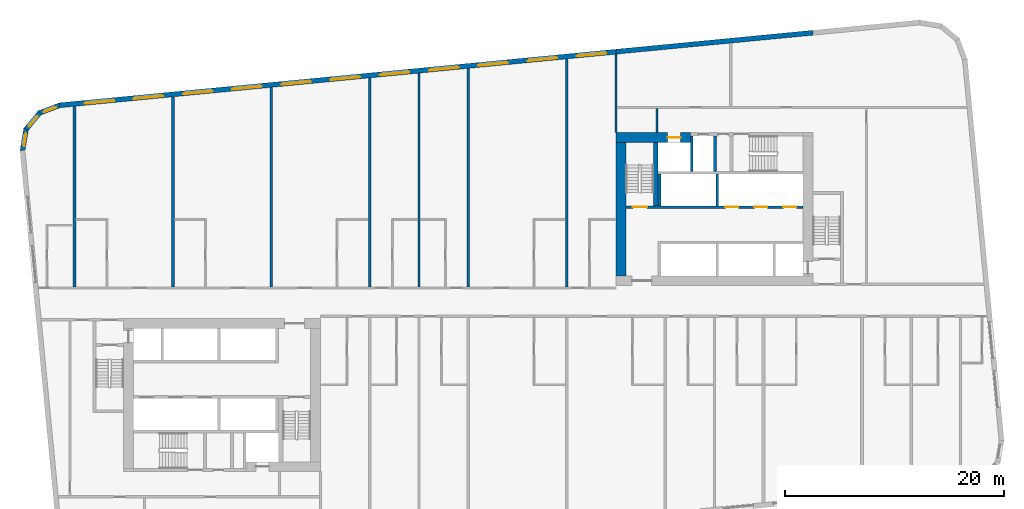
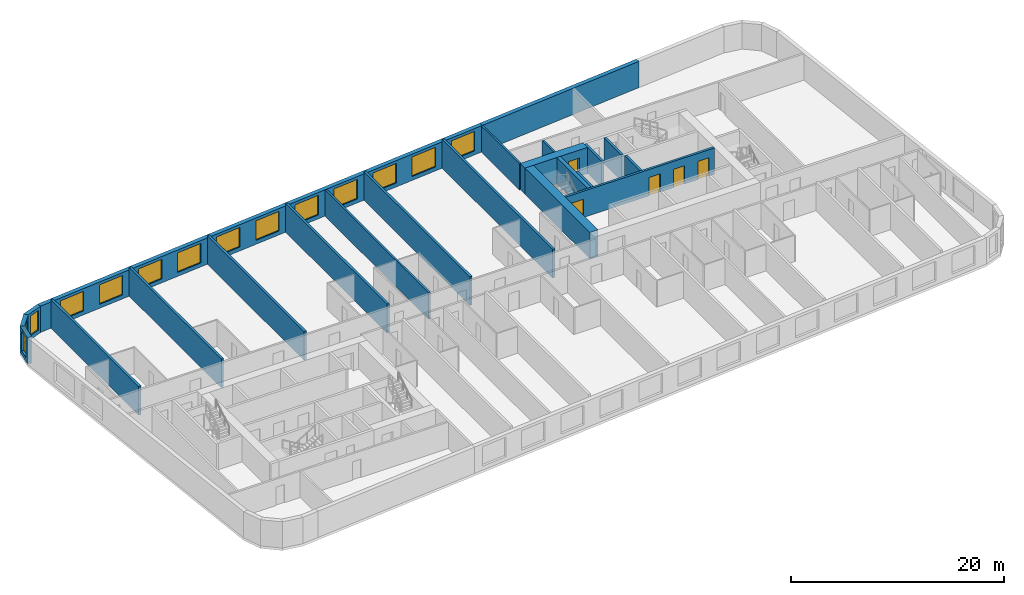
# One storey, part 6 of 12: 22 walls, 14 windows, 5 doors, 19 openings.
"""IFC4 building model written with IfcOpenShell, lengths in metres."""

from ifc_helpers import new_model, si_unit, direction, frame, frame_2d, origin, place, context, subcontext, project, spatial, polyline, rectangle, outline, extrude, material, layer, layer_set, type_object, element, fill, save


model = new_model("IFC4")

# Units and contexts
model_context = context("Model", 3, precision=1e-05, world=origin(), true_north=direction((0.0, 1.0)))
body_context = subcontext(model_context, "Body", "Model", "MODEL_VIEW")
ifc_project = project(units=[si_unit("LENGTHUNIT", "METRE"), si_unit("AREAUNIT", "SQUARE_METRE"), si_unit("VOLUMEUNIT", "CUBIC_METRE"), si_unit("PLANEANGLEUNIT", "RADIAN"), si_unit("MASSUNIT", "GRAM", prefix="KILO")], contexts=[model_context])

# Site, building, storey
site_placement = place(None, origin())
site = spatial("IfcSite", under=ifc_project, at=site_placement, CompositionType="ELEMENT")
building_placement = place(site_placement, origin())
building = spatial("IfcBuilding", under=site, at=building_placement, Name="Kajstack Hotel Tower", CompositionType="ELEMENT")
storey_placement = place(building_placement, frame((0.0, 0.0, 137.199951171875)))
storey = spatial("IfcBuildingStorey", under=building, at=storey_placement, Name="L31", CompositionType="ELEMENT", Elevation=137.199951171875)

# Wall, opening, door
ifc_material_1 = material(Name="Concrete C60/75", Category="concrete")
ifc_layer_1 = layer(ifc_material_1, 0.89990234375)
ifc_layer_set_1 = layer_set([ifc_layer_1], Name="Core wall 900")
wall_type_1 = type_object("IfcWallType", Name="Core wall 900", PredefinedType="SHEAR", material=ifc_layer_set_1)
wall_1_placement = place(storey_placement, frame((13.5, 15.050048828125, 0.0), z_axis=(0.0, 0.0, 1.0), x_axis=(1.0, 0.0, 0.0)))
wall_1 = element("IfcWall", 1, at=wall_1_placement, inside=storey, type_object=wall_type_1, Name="Core wall E RS", PredefinedType="SHEAR", context=body_context, shape_type="SweptSolid", body=[
    extrude(rectangle(XDim=6.800048828125, YDim=0.89990234375, at=frame_2d((3.39990234375, 0.0))), origin(), (0.0, 0.0, 1.0), 3.02001953125),
])
opening_1_placement = place(wall_1_placement, frame((4.72509765625, 0.0, 0.0)))
opening_1 = element("IfcOpeningElement", 2, at=opening_1_placement, cuts=wall_1, Name="Opening LD-SV2", PredefinedType="OPENING", context=body_context, shape_type="SweptSolid", body=[
    extrude(rectangle(XDim=1.199951171875, YDim=2.10009765625, at=frame_2d((0.60009765625, 1.050048828125))), frame((0.0, 0.4599609375, 0.0), z_axis=(0.0, -1.0, 0.0), x_axis=(1.0, 0.0, 0.0)), (0.0, 0.0, 1.0), 0.919921875),
])
ifc_material_2 = material(Name="Stainless steel", Category="steel")
door_type_1 = type_object("IfcDoorType", Name="Lift landing door 1200", OperationType="SLIDING_TO_LEFT", PredefinedType="DOOR", material=ifc_material_2)
door_1_placement = place(opening_1_placement, origin())
door_1 = element("IfcDoor", 3, at=door_1_placement, inside=storey, type_object=door_type_1, Name="Landing door SV2", OperationType="SLIDING_TO_LEFT", OverallHeight=2.10009765625, OverallWidth=1.199951171875, PredefinedType="DOOR", context=body_context, shape_type="SweptSolid", body=[
    extrude(rectangle(XDim=1.199951171875, YDim=2.10009765625, at=frame_2d((0.60009765625, 1.050048828125))), frame((0.0, 0.02490234375, 0.0), z_axis=(0.0, -1.0, 0.0), x_axis=(1.0, 0.0, 0.0)), (0.0, 0.0, 1.0), 0.050048828125),
])
fill(opening_1, door_1)

# Walls
wall_2_placement = place(storey_placement, frame((13.949951171875, 2.39990234375, 0.0), z_axis=(0.0, 0.0, 1.0), x_axis=(0.0, 1.0, 0.0)))
element("IfcWall", 4, at=wall_2_placement, inside=storey, type_object=wall_type_1, Name="Core wall E RE", PredefinedType="SHEAR", context=body_context, shape_type="SweptSolid", body=[
    extrude(rectangle(XDim=12.2001953125, YDim=0.89990234375, at=frame_2d((6.10009765625, 0.0))), origin(), (0.0, 0.0, 1.0), 3.02001953125),
])
ifc_material_3 = material(Name="Twin-frame gypsum board on steel studs, mineral wool", Category="steel")
ifc_layer_2 = layer(ifc_material_3, 0.199951171875)
ifc_layer_set_2 = layer_set([ifc_layer_2], Name="Demising wall 200")
wall_type_2 = type_object("IfcWallType", Name="Demising wall 200", PredefinedType="PARTITIONING", material=ifc_layer_set_2)
wall_3_placement = place(storey_placement, frame((13.5, 15.5, 0.0), z_axis=(0.0, 0.0, 1.0), x_axis=(0.0, 1.0, 0.0)))
element("IfcWall", 5, at=wall_3_placement, inside=storey, type_object=wall_type_2, Name="G-wall-L31-001", PredefinedType="PARTITIONING", context=body_context, shape_type="SweptSolid", body=[
    extrude(rectangle(XDim=7.162109375, YDim=0.199951171875, at=frame_2d((3.5810546875, 0.0))), origin(), (0.0, 0.0, 1.0), 3.02001953125),
])
wall_4_placement = place(storey_placement, frame((-4.5, 1.39990234375, 0.0), z_axis=(0.0, 0.0, 1.0), x_axis=(0.0, 1.0, 0.0)))
element("IfcWall", 6, at=wall_4_placement, inside=storey, type_object=wall_type_2, Name="G-wall-L31-012", PredefinedType="PARTITIONING", context=body_context, shape_type="SweptSolid", body=[
    extrude(rectangle(XDim=19.529052734375, YDim=0.199951171875, at=frame_2d((9.7646484375, 0.0))), origin(), (0.0, 0.0, 1.0), 3.02001953125),
])
ifc_material_4 = material(Name="Concrete C40/50", Category="concrete")
ifc_layer_3 = layer(ifc_material_4, 0.449951171875)
ifc_layer_set_3 = layer_set([ifc_layer_3], Name="EW-CORE")
wall_type_3 = type_object("IfcWallType", Name="EW-CORE", PredefinedType="SOLIDWALL", material=ifc_layer_set_3)
wall_5_placement = place(storey_placement, frame((31.521484375, 24.623291015625, 0.0), z_axis=(0.0, 0.0, 1.0), x_axis=(-0.995396454615, -0.095843091245, 0.0)))
element("IfcWall", 7, at=wall_5_placement, inside=storey, type_object=wall_type_3, Name="E-wall-L31-12-01", PredefinedType="SOLIDWALL", context=body_context, shape_type="SweptSolid", body=[
    extrude(rectangle(XDim=18.083251953125, YDim=0.449951171875, at=frame_2d((9.04150390625, 0.0))), origin(), (0.0, 0.0, 1.0), 3.02001953125),
])

# Wall, openings, windows
ifc_material_5 = material(Name="Terracotta-faced brick masonry", Category="masonry")
ifc_layer_4 = layer(ifc_material_5, 0.449951171875)
ifc_layer_set_4 = layer_set([ifc_layer_4], Name="EW-TERRA")
wall_type_4 = type_object("IfcWallType", Name="EW-TERRA", PredefinedType="SOLIDWALL", material=ifc_layer_set_4)
wall_6_placement = place(storey_placement, frame((13.521484375, 22.89013671875, 0.0), z_axis=(0.0, 0.0, 1.0), x_axis=(-0.995396445054, -0.095843190545, 0.0)))
wall_6 = element("IfcWall", 8, at=wall_6_placement, inside=storey, type_object=wall_type_4, Name="E-wall-L31-12-02", PredefinedType="SOLIDWALL", context=body_context, shape_type="SweptSolid", body=[
    extrude(rectangle(XDim=51.114013671875, YDim=0.449951171875, at=frame_2d((25.55712890625, 0.0))), origin(), (0.0, 0.0, 1.0), 3.02001953125),
])
opening_2_placement = place(wall_6_placement, frame((0.910400390625, 0.0, 0.449951171875)))
opening_2 = element("IfcOpeningElement", 9, at=opening_2_placement, cuts=wall_6, Name="Opening W1", PredefinedType="OPENING", context=body_context, shape_type="SweptSolid", body=[
    extrude(rectangle(XDim=2.699951171875, YDim=2.25, at=frame_2d((1.35009765625, 1.125))), frame((0.0, 0.23486328125, 0.0), z_axis=(0.0, -1.0, 0.0), x_axis=(1.0, 0.0, 0.0)), (0.0, 0.0, 1.0), 0.469970703125),
])
opening_3_placement = place(wall_6_placement, frame((5.43115234375, 0.0, 0.449951171875)))
opening_3 = element("IfcOpeningElement", 10, at=opening_3_placement, cuts=wall_6, Name="Opening W1", PredefinedType="OPENING", context=body_context, shape_type="SweptSolid", body=[
    extrude(rectangle(XDim=2.699951171875, YDim=2.25, at=frame_2d((1.35009765625, 1.125))), frame((0.0, 0.23486328125, 0.0), z_axis=(0.0, -1.0, 0.0), x_axis=(1.0, 0.0, 0.0)), (0.0, 0.0, 1.0), 0.469970703125),
])
opening_4_placement = place(wall_6_placement, frame((9.951904296875, 0.0, 0.449951171875)))
opening_4 = element("IfcOpeningElement", 11, at=opening_4_placement, cuts=wall_6, Name="Opening W1", PredefinedType="OPENING", context=body_context, shape_type="SweptSolid", body=[
    extrude(rectangle(XDim=2.699951171875, YDim=2.25, at=frame_2d((1.35009765625, 1.125))), frame((0.0, 0.23486328125, 0.0), z_axis=(0.0, -1.0, 0.0), x_axis=(1.0, 0.0, 0.0)), (0.0, 0.0, 1.0), 0.469970703125),
])
opening_5_placement = place(wall_6_placement, frame((14.472900390625, 0.0, 0.449951171875)))
opening_5 = element("IfcOpeningElement", 12, at=opening_5_placement, cuts=wall_6, Name="Opening W1", PredefinedType="OPENING", context=body_context, shape_type="SweptSolid", body=[
    extrude(rectangle(XDim=2.699951171875, YDim=2.25, at=frame_2d((1.35009765625, 1.125))), frame((0.0, 0.23486328125, 0.0), z_axis=(0.0, -1.0, 0.0), x_axis=(1.0, 0.0, 0.0)), (0.0, 0.0, 1.0), 0.469970703125),
])
opening_6_placement = place(wall_6_placement, frame((18.99365234375, 0.0, 0.449951171875)))
opening_6 = element("IfcOpeningElement", 13, at=opening_6_placement, cuts=wall_6, Name="Opening W1", PredefinedType="OPENING", context=body_context, shape_type="SweptSolid", body=[
    extrude(rectangle(XDim=2.699951171875, YDim=2.25, at=frame_2d((1.35009765625, 1.125))), frame((0.0, 0.23486328125, 0.0), z_axis=(0.0, -1.0, 0.0), x_axis=(1.0, 0.0, 0.0)), (0.0, 0.0, 1.0), 0.469970703125),
])
opening_7_placement = place(wall_6_placement, frame((23.514404296875, 0.0, 0.449951171875)))
opening_7 = element("IfcOpeningElement", 14, at=opening_7_placement, cuts=wall_6, Name="Opening W1", PredefinedType="OPENING", context=body_context, shape_type="SweptSolid", body=[
    extrude(rectangle(XDim=2.699951171875, YDim=2.25, at=frame_2d((1.35009765625, 1.125))), frame((0.0, 0.23486328125, 0.0), z_axis=(0.0, -1.0, 0.0), x_axis=(1.0, 0.0, 0.0)), (0.0, 0.0, 1.0), 0.469970703125),
])
opening_8_placement = place(wall_6_placement, frame((28.035400390625, 0.0, 0.449951171875)))
opening_8 = element("IfcOpeningElement", 15, at=opening_8_placement, cuts=wall_6, Name="Opening W1", PredefinedType="OPENING", context=body_context, shape_type="SweptSolid", body=[
    extrude(rectangle(XDim=2.699951171875, YDim=2.25, at=frame_2d((1.35009765625, 1.125))), frame((0.0, 0.23486328125, 0.0), z_axis=(0.0, -1.0, 0.0), x_axis=(1.0, 0.0, 0.0)), (0.0, 0.0, 1.0), 0.469970703125),
])
opening_9_placement = place(wall_6_placement, frame((32.55615234375, 0.0, 0.449951171875)))
opening_9 = element("IfcOpeningElement", 16, at=opening_9_placement, cuts=wall_6, Name="Opening W1", PredefinedType="OPENING", context=body_context, shape_type="SweptSolid", body=[
    extrude(rectangle(XDim=2.699951171875, YDim=2.25, at=frame_2d((1.35009765625, 1.125))), frame((0.0, 0.23486328125, 0.0), z_axis=(0.0, -1.0, 0.0), x_axis=(1.0, 0.0, 0.0)), (0.0, 0.0, 1.0), 0.469970703125),
])
opening_10_placement = place(wall_6_placement, frame((37.076904296875, 0.0, 0.449951171875)))
opening_10 = element("IfcOpeningElement", 17, at=opening_10_placement, cuts=wall_6, Name="Opening W1", PredefinedType="OPENING", context=body_context, shape_type="SweptSolid", body=[
    extrude(rectangle(XDim=2.699951171875, YDim=2.25, at=frame_2d((1.35009765625, 1.125))), frame((0.0, 0.23486328125, 0.0), z_axis=(0.0, -1.0, 0.0), x_axis=(1.0, 0.0, 0.0)), (0.0, 0.0, 1.0), 0.469970703125),
])
opening_11_placement = place(wall_6_placement, frame((41.59765625, 0.0, 0.449951171875)))
opening_11 = element("IfcOpeningElement", 18, at=opening_11_placement, cuts=wall_6, Name="Opening W1", PredefinedType="OPENING", context=body_context, shape_type="SweptSolid", body=[
    extrude(rectangle(XDim=2.699951171875, YDim=2.25, at=frame_2d((1.35009765625, 1.125))), frame((0.0, 0.23486328125, 0.0), z_axis=(0.0, -1.0, 0.0), x_axis=(1.0, 0.0, 0.0)), (0.0, 0.0, 1.0), 0.469970703125),
])
opening_12_placement = place(wall_6_placement, frame((46.118408203125, 0.0, 0.449951171875)))
opening_12 = element("IfcOpeningElement", 19, at=opening_12_placement, cuts=wall_6, Name="Opening W1", PredefinedType="OPENING", context=body_context, shape_type="SweptSolid", body=[
    extrude(rectangle(XDim=2.699951171875, YDim=2.25, at=frame_2d((1.35009765625, 1.125))), frame((0.0, 0.23486328125, 0.0), z_axis=(0.0, -1.0, 0.0), x_axis=(1.0, 0.0, 0.0)), (0.0, 0.0, 1.0), 0.469970703125),
])
ifc_material_6 = material(Name="Timber-aluminium window, triple glazed", Category="wood")
window_type_1 = type_object("IfcWindowType", Name="WG1", PartitioningType="SINGLE_PANEL", PredefinedType="WINDOW", material=ifc_material_6)
window_1_placement = place(opening_2_placement, origin())
window_1 = element("IfcWindow", 20, at=window_1_placement, inside=storey, type_object=window_type_1, Name="Window W1 L31-12", OverallHeight=2.25, OverallWidth=2.699951171875, PartitioningType="SINGLE_PANEL", PredefinedType="WINDOW", context=body_context, shape_type="SweptSolid", body=[
    extrude(rectangle(XDim=2.699951171875, YDim=2.25, at=frame_2d((1.35009765625, 1.125))), frame((0.0, 0.090087890625, 0.0), z_axis=(0.0, -1.0, 0.0), x_axis=(1.0, 0.0, 0.0)), (0.0, 0.0, 1.0), 0.06005859375),
])
fill(opening_2, window_1)
window_2_placement = place(opening_3_placement, origin())
window_2 = element("IfcWindow", 21, at=window_2_placement, inside=storey, type_object=window_type_1, Name="Window W1 L31-12", OverallHeight=2.25, OverallWidth=2.699951171875, PartitioningType="SINGLE_PANEL", PredefinedType="WINDOW", context=body_context, shape_type="SweptSolid", body=[
    extrude(rectangle(XDim=2.699951171875, YDim=2.25, at=frame_2d((1.35009765625, 1.125))), frame((0.0, 0.090087890625, 0.0), z_axis=(0.0, -1.0, 0.0), x_axis=(1.0, 0.0, 0.0)), (0.0, 0.0, 1.0), 0.06005859375),
])
fill(opening_3, window_2)
window_3_placement = place(opening_4_placement, origin())
window_3 = element("IfcWindow", 22, at=window_3_placement, inside=storey, type_object=window_type_1, Name="Window W1 L31-12", OverallHeight=2.25, OverallWidth=2.699951171875, PartitioningType="SINGLE_PANEL", PredefinedType="WINDOW", context=body_context, shape_type="SweptSolid", body=[
    extrude(rectangle(XDim=2.699951171875, YDim=2.25, at=frame_2d((1.35009765625, 1.125))), frame((0.0, 0.090087890625, 0.0), z_axis=(0.0, -1.0, 0.0), x_axis=(1.0, 0.0, 0.0)), (0.0, 0.0, 1.0), 0.06005859375),
])
fill(opening_4, window_3)
window_4_placement = place(opening_5_placement, origin())
window_4 = element("IfcWindow", 23, at=window_4_placement, inside=storey, type_object=window_type_1, Name="Window W1 L31-12", OverallHeight=2.25, OverallWidth=2.699951171875, PartitioningType="SINGLE_PANEL", PredefinedType="WINDOW", context=body_context, shape_type="SweptSolid", body=[
    extrude(rectangle(XDim=2.699951171875, YDim=2.25, at=frame_2d((1.35009765625, 1.125))), frame((0.0, 0.090087890625, 0.0), z_axis=(0.0, -1.0, 0.0), x_axis=(1.0, 0.0, 0.0)), (0.0, 0.0, 1.0), 0.06005859375),
])
fill(opening_5, window_4)
window_5_placement = place(opening_6_placement, origin())
window_5 = element("IfcWindow", 24, at=window_5_placement, inside=storey, type_object=window_type_1, Name="Window W1 L31-12", OverallHeight=2.25, OverallWidth=2.699951171875, PartitioningType="SINGLE_PANEL", PredefinedType="WINDOW", context=body_context, shape_type="SweptSolid", body=[
    extrude(rectangle(XDim=2.699951171875, YDim=2.25, at=frame_2d((1.35009765625, 1.125))), frame((0.0, 0.090087890625, 0.0), z_axis=(0.0, -1.0, 0.0), x_axis=(1.0, 0.0, 0.0)), (0.0, 0.0, 1.0), 0.06005859375),
])
fill(opening_6, window_5)
window_6_placement = place(opening_7_placement, origin())
window_6 = element("IfcWindow", 25, at=window_6_placement, inside=storey, type_object=window_type_1, Name="Window W1 L31-12", OverallHeight=2.25, OverallWidth=2.699951171875, PartitioningType="SINGLE_PANEL", PredefinedType="WINDOW", context=body_context, shape_type="SweptSolid", body=[
    extrude(rectangle(XDim=2.699951171875, YDim=2.25, at=frame_2d((1.35009765625, 1.125))), frame((0.0, 0.090087890625, 0.0), z_axis=(0.0, -1.0, 0.0), x_axis=(1.0, 0.0, 0.0)), (0.0, 0.0, 1.0), 0.06005859375),
])
fill(opening_7, window_6)
window_7_placement = place(opening_8_placement, origin())
window_7 = element("IfcWindow", 26, at=window_7_placement, inside=storey, type_object=window_type_1, Name="Window W1 L31-12", OverallHeight=2.25, OverallWidth=2.699951171875, PartitioningType="SINGLE_PANEL", PredefinedType="WINDOW", context=body_context, shape_type="SweptSolid", body=[
    extrude(rectangle(XDim=2.699951171875, YDim=2.25, at=frame_2d((1.35009765625, 1.125))), frame((0.0, 0.090087890625, 0.0), z_axis=(0.0, -1.0, 0.0), x_axis=(1.0, 0.0, 0.0)), (0.0, 0.0, 1.0), 0.06005859375),
])
fill(opening_8, window_7)
window_8_placement = place(opening_9_placement, origin())
window_8 = element("IfcWindow", 27, at=window_8_placement, inside=storey, type_object=window_type_1, Name="Window W1 L31-12", OverallHeight=2.25, OverallWidth=2.699951171875, PartitioningType="SINGLE_PANEL", PredefinedType="WINDOW", context=body_context, shape_type="SweptSolid", body=[
    extrude(rectangle(XDim=2.699951171875, YDim=2.25, at=frame_2d((1.35009765625, 1.125))), frame((0.0, 0.090087890625, 0.0), z_axis=(0.0, -1.0, 0.0), x_axis=(1.0, 0.0, 0.0)), (0.0, 0.0, 1.0), 0.06005859375),
])
fill(opening_9, window_8)
window_9_placement = place(opening_10_placement, origin())
window_9 = element("IfcWindow", 28, at=window_9_placement, inside=storey, type_object=window_type_1, Name="Window W1 L31-12", OverallHeight=2.25, OverallWidth=2.699951171875, PartitioningType="SINGLE_PANEL", PredefinedType="WINDOW", context=body_context, shape_type="SweptSolid", body=[
    extrude(rectangle(XDim=2.699951171875, YDim=2.25, at=frame_2d((1.35009765625, 1.125))), frame((0.0, 0.090087890625, 0.0), z_axis=(0.0, -1.0, 0.0), x_axis=(1.0, 0.0, 0.0)), (0.0, 0.0, 1.0), 0.06005859375),
])
fill(opening_10, window_9)
window_10_placement = place(opening_11_placement, origin())
window_10 = element("IfcWindow", 29, at=window_10_placement, inside=storey, type_object=window_type_1, Name="Window W1 L31-12", OverallHeight=2.25, OverallWidth=2.699951171875, PartitioningType="SINGLE_PANEL", PredefinedType="WINDOW", context=body_context, shape_type="SweptSolid", body=[
    extrude(rectangle(XDim=2.699951171875, YDim=2.25, at=frame_2d((1.35009765625, 1.125))), frame((0.0, 0.090087890625, 0.0), z_axis=(0.0, -1.0, 0.0), x_axis=(1.0, 0.0, 0.0)), (0.0, 0.0, 1.0), 0.06005859375),
])
fill(opening_11, window_10)
window_11_placement = place(opening_12_placement, origin())
window_11 = element("IfcWindow", 30, at=window_11_placement, inside=storey, type_object=window_type_1, Name="Window W1 L31-12", OverallHeight=2.25, OverallWidth=2.699951171875, PartitioningType="SINGLE_PANEL", PredefinedType="WINDOW", context=body_context, shape_type="SweptSolid", body=[
    extrude(rectangle(XDim=2.699951171875, YDim=2.25, at=frame_2d((1.35009765625, 1.125))), frame((0.0, 0.090087890625, 0.0), z_axis=(0.0, -1.0, 0.0), x_axis=(1.0, 0.0, 0.0)), (0.0, 0.0, 1.0), 0.06005859375),
])
fill(opening_12, window_11)

# Wall, opening, window
wall_7_placement = place(storey_placement, frame((-37.300048828125, 18.00439453125, 0.0), z_axis=(0.0, 0.0, 1.0), x_axis=(-0.936677599948, -0.350192909346, 0.0)))
wall_7 = element("IfcWall", 31, at=wall_7_placement, inside=storey, type_object=wall_type_4, Name="E-wall-L31-13-00", PredefinedType="SOLIDWALL", context=body_context, shape_type="SweptSolid", body=[
    extrude(outline(polyline([(0.0, -0.224853515625), (2.070556640625, -0.224853515625), (1.949951171875, 0.22509765625), (0.12060546875, 0.22509765625), (0.0, -0.224853515625)])), origin(), (0.0, 0.0, 1.0), 3.02001953125),
])
opening_13_placement = place(wall_7_placement, frame((0.435302734375, 0.0, 0.449951171875)))
opening_13 = element("IfcOpeningElement", 32, at=opening_13_placement, cuts=wall_7, Name="Opening W3", PredefinedType="OPENING", context=body_context, shape_type="SweptSolid", body=[
    extrude(rectangle(XDim=1.199951171875, YDim=2.25, at=frame_2d((0.60009765625, 1.125))), frame((0.0, 0.23486328125, 0.0), z_axis=(0.0, -1.0, 0.0), x_axis=(1.0, 0.0, 0.0)), (0.0, 0.0, 1.0), 0.469970703125),
])
window_type_2 = type_object("IfcWindowType", Name="WG3", PartitioningType="SINGLE_PANEL", PredefinedType="WINDOW", material=ifc_material_6)
window_12_placement = place(opening_13_placement, origin())
window_12 = element("IfcWindow", 33, at=window_12_placement, inside=storey, type_object=window_type_2, Name="Window W3 L31-13", OverallHeight=2.25, OverallWidth=1.199951171875, PartitioningType="SINGLE_PANEL", PredefinedType="WINDOW", context=body_context, shape_type="SweptSolid", body=[
    extrude(rectangle(XDim=1.199951171875, YDim=2.25, at=frame_2d((0.60009765625, 1.125))), frame((0.0, 0.090087890625, 0.0), z_axis=(0.0, -1.0, 0.0), x_axis=(1.0, 0.0, 0.0)), (0.0, 0.0, 1.0), 0.06005859375),
])
fill(opening_13, window_12)

wall_8_placement = place(storey_placement, frame((-39.144775390625, 17.346923828125, 0.0), z_axis=(0.0, 0.0, 1.0), x_axis=(-0.636046112757, -0.771651049663, 0.0)))
wall_8 = element("IfcWall", 34, at=wall_8_placement, inside=storey, type_object=wall_type_4, Name="E-wall-L31-14-00", PredefinedType="SOLIDWALL", context=body_context, shape_type="SweptSolid", body=[
    extrude(outline(polyline([(0.0, -0.224853515625), (2.070556640625, -0.224853515625), (1.949951171875, 0.22509765625), (0.12060546875, 0.22509765625), (0.0, -0.224853515625)])), origin(), (0.0, 0.0, 1.0), 3.02001953125),
])
opening_14_placement = place(wall_8_placement, frame((0.435302734375, 0.0, 0.449951171875)))
opening_14 = element("IfcOpeningElement", 35, at=opening_14_placement, cuts=wall_8, Name="Opening W3", PredefinedType="OPENING", context=body_context, shape_type="SweptSolid", body=[
    extrude(rectangle(XDim=1.199951171875, YDim=2.25, at=frame_2d((0.60009765625, 1.125))), frame((0.0, 0.23486328125, 0.0), z_axis=(0.0, -1.0, 0.0), x_axis=(1.0, 0.0, 0.0)), (0.0, 0.0, 1.0), 0.469970703125),
])
window_13_placement = place(opening_14_placement, origin())
window_13 = element("IfcWindow", 36, at=window_13_placement, inside=storey, type_object=window_type_2, Name="Window W3 L31-14", OverallHeight=2.25, OverallWidth=1.199951171875, PartitioningType="SINGLE_PANEL", PredefinedType="WINDOW", context=body_context, shape_type="SweptSolid", body=[
    extrude(rectangle(XDim=1.199951171875, YDim=2.25, at=frame_2d((0.60009765625, 1.125))), frame((0.0, 0.090087890625, 0.0), z_axis=(0.0, -1.0, 0.0), x_axis=(1.0, 0.0, 0.0)), (0.0, 0.0, 1.0), 0.06005859375),
])
fill(opening_14, window_13)

wall_9_placement = place(storey_placement, frame((-40.413330078125, 15.855224609375, 0.0), z_axis=(0.0, 0.0, 1.0), x_axis=(-0.165068144653, -0.986282164302, 0.0)))
wall_9 = element("IfcWall", 37, at=wall_9_placement, inside=storey, type_object=wall_type_4, Name="E-wall-L31-15-00", PredefinedType="SOLIDWALL", context=body_context, shape_type="SweptSolid", body=[
    extrude(outline(polyline([(0.0, -0.22509765625), (2.070556640625, -0.224853515625), (1.9501953125, 0.22509765625), (0.12060546875, 0.224853515625), (0.0, -0.22509765625)])), origin(), (0.0, 0.0, 1.0), 3.02001953125),
])
opening_15_placement = place(wall_9_placement, frame((0.435302734375, 0.0, 0.449951171875)))
opening_15 = element("IfcOpeningElement", 38, at=opening_15_placement, cuts=wall_9, Name="Opening W3", PredefinedType="OPENING", context=body_context, shape_type="SweptSolid", body=[
    extrude(rectangle(XDim=1.199951171875, YDim=2.25, at=frame_2d((0.60009765625, 1.125))), frame((0.0, 0.23486328125, 0.0), z_axis=(0.0, -1.0, 0.0), x_axis=(1.0, 0.0, 0.0)), (0.0, 0.0, 1.0), 0.469970703125),
])
window_14_placement = place(opening_15_placement, origin())
window_14 = element("IfcWindow", 39, at=window_14_placement, inside=storey, type_object=window_type_2, Name="Window W3 L31-15", OverallHeight=2.25, OverallWidth=1.199951171875, PartitioningType="SINGLE_PANEL", PredefinedType="WINDOW", context=body_context, shape_type="SweptSolid", body=[
    extrude(rectangle(XDim=1.199951171875, YDim=2.25, at=frame_2d((0.60009765625, 1.125))), frame((0.0, 0.090087890625, 0.0), z_axis=(0.0, -1.0, 0.0), x_axis=(1.0, 0.0, 0.0)), (0.0, 0.0, 1.0), 0.06005859375),
])
fill(opening_15, window_14)

# Walls
ifc_material_7 = material(Name="Concrete C50/60", Category="concrete")
ifc_layer_5 = layer(ifc_material_7, 0.300048828125)
ifc_layer_set_5 = layer_set([ifc_layer_5], Name="Hoistway divider wall 300")
wall_type_5 = type_object("IfcWallType", Name="Hoistway divider wall 300", PredefinedType="SHEAR", material=ifc_layer_set_5)
wall_10_placement = place(storey_placement, frame((22.77490234375, 8.800048828125, 0.0), z_axis=(0.0, 0.0, 1.0), x_axis=(0.0, 1.0, 0.0)))
element("IfcWall", 40, at=wall_10_placement, inside=storey, type_object=wall_type_5, Name="Core wall E BP2", PredefinedType="SHEAR", context=body_context, shape_type="SweptSolid", body=[
    extrude(rectangle(XDim=2.89990234375, YDim=0.25, at=frame_2d((1.449951171875, 0.0))), origin(), (0.0, 0.0, 1.0), 3.02001953125),
])
ifc_material_8 = material(Name="Concrete C55/67", Category="concrete")
ifc_layer_6 = layer(ifc_material_8, 0.25)
ifc_layer_set_6 = layer_set([ifc_layer_6], Name="RC cross wall 250 C55/67")
wall_type_6 = type_object("IfcWallType", Name="RC cross wall 250 C55/67", PredefinedType="SHEAR", material=ifc_layer_set_6)
wall_11_placement = place(storey_placement, frame((-36.0, 1.39990234375, 0.0), z_axis=(0.0, 0.0, 1.0), x_axis=(0.0, 1.0, 0.0)))
element("IfcWall", 41, at=wall_11_placement, inside=storey, type_object=wall_type_6, Name="S-wall-L31-01", PredefinedType="SHEAR", context=body_context, shape_type="SweptSolid", body=[
    extrude(rectangle(XDim=16.473876953125, YDim=0.25, at=frame_2d((8.23681640625, 0.0))), origin(), (0.0, 0.0, 1.0), 3.300048828125),
])
wall_12_placement = place(storey_placement, frame((-27.0, 1.39990234375, 0.0), z_axis=(0.0, 0.0, 1.0), x_axis=(0.0, 1.0, 0.0)))
element("IfcWall", 42, at=wall_12_placement, inside=storey, type_object=wall_type_6, Name="S-wall-L31-02", PredefinedType="SHEAR", context=body_context, shape_type="SweptSolid", body=[
    extrude(rectangle(XDim=17.34033203125, YDim=0.25, at=frame_2d((8.670166015625, 0.0))), origin(), (0.0, 0.0, 1.0), 3.300048828125),
])
wall_13_placement = place(storey_placement, frame((-18.0, 1.39990234375, 0.0), z_axis=(0.0, 0.0, 1.0), x_axis=(0.0, 1.0, 0.0)))
element("IfcWall", 43, at=wall_13_placement, inside=storey, type_object=wall_type_6, Name="S-wall-L31-03", PredefinedType="SHEAR", context=body_context, shape_type="SweptSolid", body=[
    extrude(rectangle(XDim=18.20703125, YDim=0.25, at=frame_2d((9.103515625, 0.0))), origin(), (0.0, 0.0, 1.0), 3.300048828125),
])
wall_14_placement = place(storey_placement, frame((-9.0, 1.39990234375, 0.0), z_axis=(0.0, 0.0, 1.0), x_axis=(0.0, 1.0, 0.0)))
element("IfcWall", 44, at=wall_14_placement, inside=storey, type_object=wall_type_6, Name="S-wall-L31-05", PredefinedType="SHEAR", context=body_context, shape_type="SweptSolid", body=[
    extrude(rectangle(XDim=19.073486328125, YDim=0.25, at=frame_2d((9.53662109375, 0.0))), origin(), (0.0, 0.0, 1.0), 3.300048828125),
])
wall_15_placement = place(storey_placement, frame((0.0, 1.39990234375, 0.0), z_axis=(0.0, 0.0, 1.0), x_axis=(0.0, 1.0, 0.0)))
element("IfcWall", 45, at=wall_15_placement, inside=storey, type_object=wall_type_6, Name="S-wall-L31-07", PredefinedType="SHEAR", context=body_context, shape_type="SweptSolid", body=[
    extrude(rectangle(XDim=19.940185546875, YDim=0.25, at=frame_2d((9.97021484375, 0.0))), origin(), (0.0, 0.0, 1.0), 3.300048828125),
])
wall_16_placement = place(storey_placement, frame((9.0, 1.39990234375, 0.0), z_axis=(0.0, 0.0, 1.0), x_axis=(0.0, 1.0, 0.0)))
element("IfcWall", 46, at=wall_16_placement, inside=storey, type_object=wall_type_6, Name="S-wall-L31-09", PredefinedType="SHEAR", context=body_context, shape_type="SweptSolid", body=[
    extrude(rectangle(XDim=20.806884765625, YDim=0.25, at=frame_2d((10.4033203125, 0.0))), origin(), (0.0, 0.0, 1.0), 3.300048828125),
])
ifc_material_9 = material(Name="Concrete block masonry", Category="masonry")
ifc_layer_7 = layer(ifc_material_9, 0.25)
ifc_layer_set_7 = layer_set([ifc_layer_7], Name="Riser partition 250")
wall_type_7 = type_object("IfcWallType", Name="Riser partition 250", PredefinedType="PARTITIONING", material=ifc_layer_set_7)
wall_17_placement = place(storey_placement, frame((22.550048828125, 11.949951171875, 0.0), z_axis=(0.0, 0.0, 1.0), x_axis=(0.0, 1.0, 0.0)))
element("IfcWall", 47, at=wall_17_placement, inside=storey, type_object=wall_type_7, Name="Partition E SZ0", PredefinedType="PARTITIONING", context=body_context, shape_type="SweptSolid", body=[
    extrude(rectangle(XDim=3.25, YDim=0.25, at=frame_2d((1.625, 0.0))), origin(), (0.0, 0.0, 1.0), 3.02001953125),
])
ifc_material_10 = material(Name="Gypsum board on steel studs, mineral wool", Category="steel")
ifc_layer_8 = layer(ifc_material_10, 0.199951171875)
ifc_layer_set_8 = layer_set([ifc_layer_8], Name="Service partition 200")
wall_type_8 = type_object("IfcWallType", Name="Service partition 200", PredefinedType="PARTITIONING", material=ifc_layer_set_8)
wall_18_placement = place(storey_placement, frame((17.25, 15.5, 0.0), z_axis=(0.0, 0.0, 1.0), x_axis=(0.0, 1.0, 0.0)))
element("IfcWall", 48, at=wall_18_placement, inside=storey, type_object=wall_type_8, Name="Partition E SCE", PredefinedType="PARTITIONING", context=body_context, shape_type="SweptSolid", body=[
    extrude(rectangle(XDim=2.199951171875, YDim=0.199951171875, at=frame_2d((1.10009765625, 0.0))), origin(), (0.0, 0.0, 1.0), 3.02001953125),
])

# Wall, openings, doors
ifc_layer_9 = layer(ifc_material_7, 0.25)
ifc_layer_set_9 = layer_set([ifc_layer_9], Name="Shaft wall 250")
wall_type_9 = type_object("IfcWallType", Name="Shaft wall 250", PredefinedType="SHEAR", material=ifc_layer_set_9)
wall_19_placement = place(storey_placement, frame((14.39990234375, 8.675048828125, 0.0), z_axis=(0.0, 0.0, 1.0), x_axis=(1.0, 0.0, 0.0)))
wall_19 = element("IfcWall", 49, at=wall_19_placement, inside=storey, type_object=wall_type_9, Name="Core wall E FB", PredefinedType="SHEAR", context=body_context, shape_type="SweptSolid", body=[
    extrude(rectangle(XDim=16.2001953125, YDim=0.25, at=frame_2d((8.10009765625, 0.0))), origin(), (0.0, 0.0, 1.0), 3.02001953125),
])
opening_16_placement = place(wall_19_placement, frame((14.39990234375, 0.0, 0.0)))
opening_16 = element("IfcOpeningElement", 50, at=opening_16_placement, cuts=wall_19, Name="Opening LD-LR4", PredefinedType="OPENING", context=body_context, shape_type="SweptSolid", body=[
    extrude(rectangle(XDim=1.199951171875, YDim=2.10009765625, at=frame_2d((0.60009765625, 1.050048828125))), frame((0.0, 0.135009765625, 0.0), z_axis=(0.0, -1.0, 0.0), x_axis=(1.0, 0.0, 0.0)), (0.0, 0.0, 1.0), 0.27001953125),
])
opening_17_placement = place(wall_19_placement, frame((11.75, 0.0, 0.0)))
opening_17 = element("IfcOpeningElement", 51, at=opening_17_placement, cuts=wall_19, Name="Opening LD-LR5", PredefinedType="OPENING", context=body_context, shape_type="SweptSolid", body=[
    extrude(rectangle(XDim=1.199951171875, YDim=2.10009765625, at=frame_2d((0.60009765625, 1.050048828125))), frame((0.0, 0.135009765625, 0.0), z_axis=(0.0, -1.0, 0.0), x_axis=(1.0, 0.0, 0.0)), (0.0, 0.0, 1.0), 0.27001953125),
])
opening_18_placement = place(wall_19_placement, frame((9.10009765625, 0.0, 0.0)))
opening_18 = element("IfcOpeningElement", 52, at=opening_18_placement, cuts=wall_19, Name="Opening LD-LR6", PredefinedType="OPENING", context=body_context, shape_type="SweptSolid", body=[
    extrude(rectangle(XDim=1.199951171875, YDim=2.10009765625, at=frame_2d((0.60009765625, 1.050048828125))), frame((0.0, 0.135009765625, 0.0), z_axis=(0.0, -1.0, 0.0), x_axis=(1.0, 0.0, 0.0)), (0.0, 0.0, 1.0), 0.27001953125),
])
opening_19_placement = place(wall_19_placement, frame((0.64990234375, 0.0, 0.0)))
opening_19 = element("IfcOpeningElement", 53, at=opening_19_placement, cuts=wall_19, Name="Opening 31E10", PredefinedType="OPENING", context=body_context, shape_type="SweptSolid", body=[
    extrude(rectangle(XDim=1.300048828125, YDim=2.10009765625, at=frame_2d((0.64990234375, 1.050048828125))), frame((0.0, 0.135009765625, 0.0), z_axis=(0.0, -1.0, 0.0), x_axis=(1.0, 0.0, 0.0)), (0.0, 0.0, 1.0), 0.27001953125),
])
door_2_placement = place(opening_16_placement, origin())
door_2 = element("IfcDoor", 54, at=door_2_placement, inside=storey, type_object=door_type_1, Name="Landing door LR4", OperationType="SLIDING_TO_LEFT", OverallHeight=2.10009765625, OverallWidth=1.199951171875, PredefinedType="DOOR", context=body_context, shape_type="SweptSolid", body=[
    extrude(rectangle(XDim=1.199951171875, YDim=2.10009765625, at=frame_2d((0.60009765625, 1.050048828125))), frame((0.0, 0.02490234375, 0.0), z_axis=(0.0, -1.0, 0.0), x_axis=(1.0, 0.0, 0.0)), (0.0, 0.0, 1.0), 0.050048828125),
])
fill(opening_16, door_2)
door_3_placement = place(opening_17_placement, origin())
door_3 = element("IfcDoor", 55, at=door_3_placement, inside=storey, type_object=door_type_1, Name="Landing door LR5", OperationType="SLIDING_TO_RIGHT", OverallHeight=2.10009765625, OverallWidth=1.199951171875, PredefinedType="DOOR", context=body_context, shape_type="SweptSolid", body=[
    extrude(rectangle(XDim=1.199951171875, YDim=2.10009765625, at=frame_2d((0.60009765625, 1.050048828125))), frame((0.0, 0.02490234375, 0.0), z_axis=(0.0, -1.0, 0.0), x_axis=(1.0, 0.0, 0.0)), (0.0, 0.0, 1.0), 0.050048828125),
])
fill(opening_17, door_3)
door_4_placement = place(opening_18_placement, origin())
door_4 = element("IfcDoor", 56, at=door_4_placement, inside=storey, type_object=door_type_1, Name="Landing door LR6", OperationType="SLIDING_TO_RIGHT", OverallHeight=2.10009765625, OverallWidth=1.199951171875, PredefinedType="DOOR", context=body_context, shape_type="SweptSolid", body=[
    extrude(rectangle(XDim=1.199951171875, YDim=2.10009765625, at=frame_2d((0.60009765625, 1.050048828125))), frame((0.0, 0.02490234375, 0.0), z_axis=(0.0, -1.0, 0.0), x_axis=(1.0, 0.0, 0.0)), (0.0, 0.0, 1.0), 0.050048828125),
])
fill(opening_18, door_4)
ifc_material_11 = material(Name="Steel leaf, fire-rated", Category="steel")
door_type_2 = type_object("IfcDoorType", Name="Stair door 1300", OperationType="SINGLE_SWING_LEFT", PredefinedType="DOOR", material=ifc_material_11)
door_5_placement = place(opening_19_placement, origin())
door_5 = element("IfcDoor", 57, at=door_5_placement, inside=storey, type_object=door_type_2, Name="Door 31E10", OperationType="SINGLE_SWING_LEFT", OverallHeight=2.10009765625, OverallWidth=1.300048828125, PredefinedType="DOOR", context=body_context, shape_type="SweptSolid", body=[
    extrude(rectangle(XDim=1.300048828125, YDim=2.10009765625, at=frame_2d((0.64990234375, 1.050048828125))), frame((0.0, 0.02490234375, 0.0), z_axis=(0.0, -1.0, 0.0), x_axis=(1.0, 0.0, 0.0)), (0.0, 0.0, 1.0), 0.050048828125),
])
fill(opening_19, door_5)

# Walls
wall_20_placement = place(storey_placement, frame((17.47509765625, 8.800048828125, 0.0), z_axis=(0.0, 0.0, 1.0), x_axis=(0.0, 1.0, 0.0)))
element("IfcWall", 58, at=wall_20_placement, inside=storey, type_object=wall_type_9, Name="Core wall E BE", PredefinedType="SHEAR", context=body_context, shape_type="SweptSolid", body=[
    extrude(rectangle(XDim=2.89990234375, YDim=0.25, at=frame_2d((1.449951171875, 0.0))), origin(), (0.0, 0.0, 1.0), 3.02001953125),
])
wall_21_placement = place(storey_placement, frame((20.425048828125, 11.949951171875, 0.0), z_axis=(0.0, 0.0, 1.0), x_axis=(0.0, 1.0, 0.0)))
element("IfcWall", 59, at=wall_21_placement, inside=storey, type_object=wall_type_9, Name="Core wall E SVW", PredefinedType="SHEAR", context=body_context, shape_type="SweptSolid", body=[
    extrude(rectangle(XDim=3.25, YDim=0.25, at=frame_2d((1.625, 0.0))), origin(), (0.0, 0.0, 1.0), 3.02001953125),
])
ifc_layer_10 = layer(ifc_material_7, 0.39990234375)
ifc_layer_set_10 = layer_set([ifc_layer_10], Name="Stair wall 400")
wall_type_10 = type_object("IfcWallType", Name="Stair wall 400", PredefinedType="SHEAR", material=ifc_layer_set_10)
wall_22_placement = place(storey_placement, frame((17.14990234375, 8.800048828125, 0.0), z_axis=(0.0, 0.0, 1.0), x_axis=(0.0, 1.0, 0.0)))
element("IfcWall", 60, at=wall_22_placement, inside=storey, type_object=wall_type_10, Name="Core wall E WW2", PredefinedType="SHEAR", context=body_context, shape_type="SweptSolid", body=[
    extrude(rectangle(XDim=5.800048828125, YDim=0.39990234375, at=frame_2d((2.89990234375, 0.0))), origin(), (0.0, 0.0, 1.0), 3.02001953125),
])

save(model, "model.ifc")
